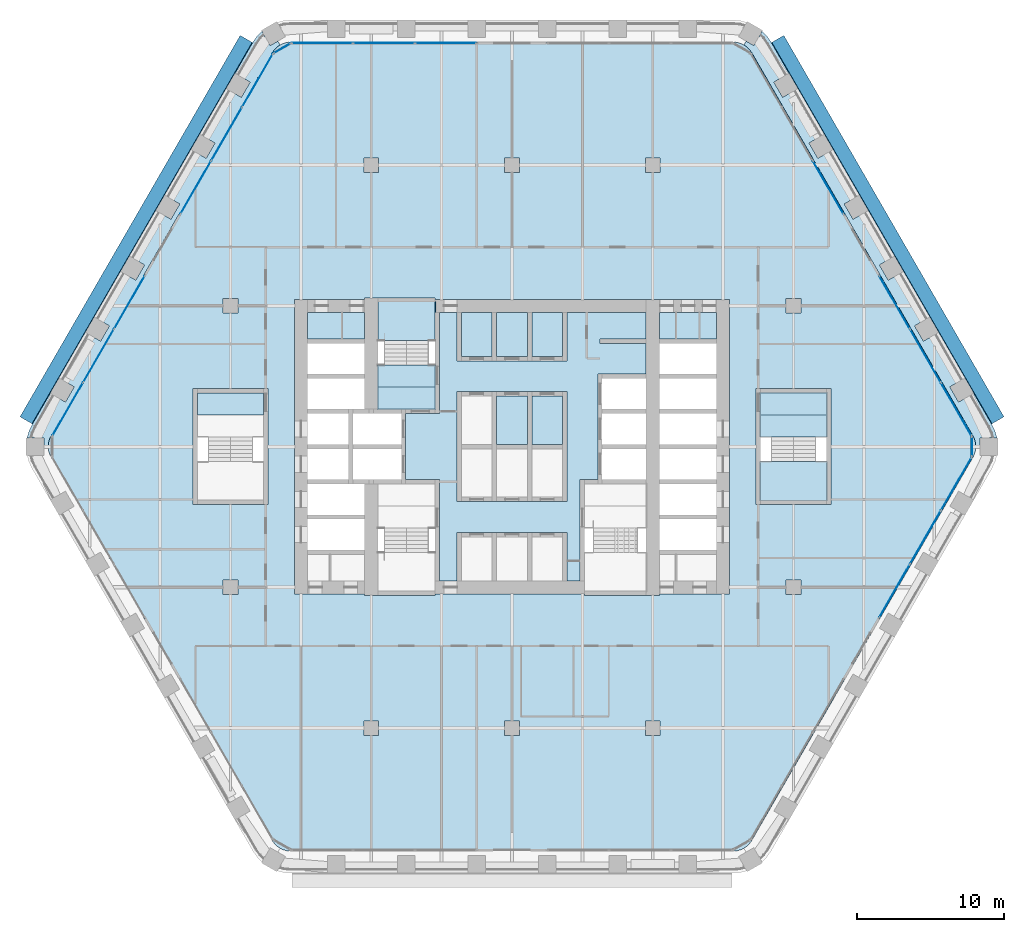
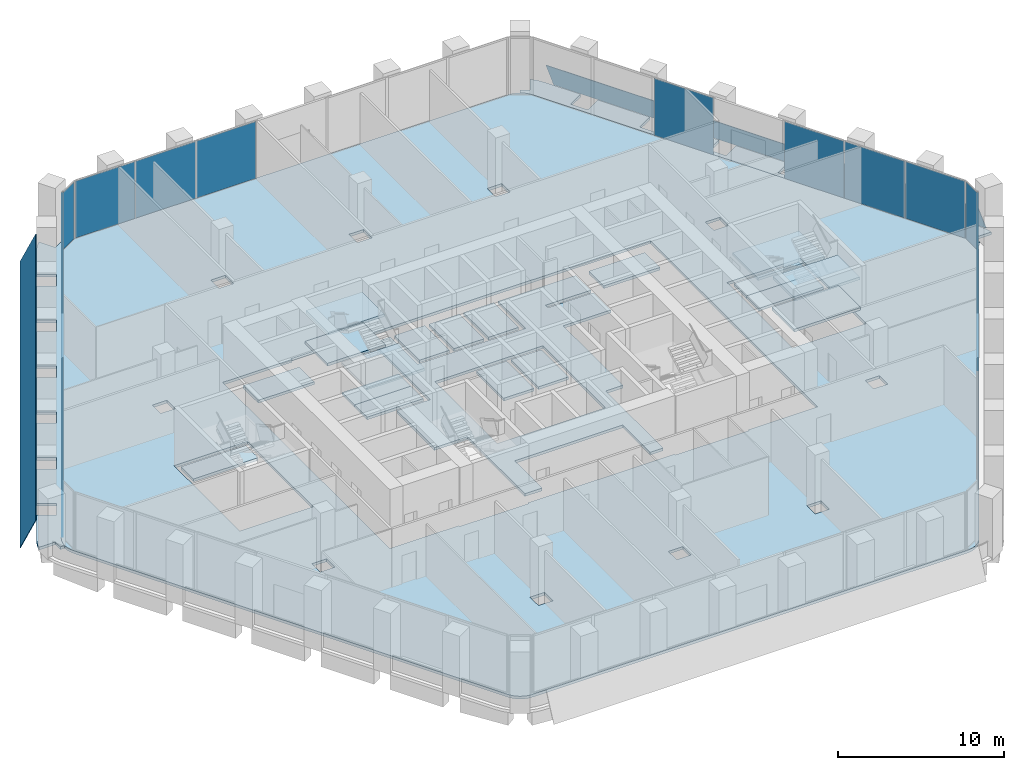
# One storey, part 11 of 23: 22 slabs, 20 plates, 10 elements without a shape of their own.
"""IFC4 building model written with IfcOpenShell, lengths in metres."""

from ifc_helpers import new_model, si_unit, direction, frame, origin, origin_2d, place, context, subcontext, project, spatial, polyline, rectangle, outline, extrude, material, layer, layer_set, type_object, element, aggregate, save


model = new_model("IFC4")

# Units and contexts
model_context = context("Model", 3, precision=1e-05, world=origin(), true_north=direction((0.0, 1.0)))
body_context = subcontext(model_context, "Body", "Model", "MODEL_VIEW")
ifc_project = project(units=[si_unit("LENGTHUNIT", "METRE"), si_unit("AREAUNIT", "SQUARE_METRE"), si_unit("VOLUMEUNIT", "CUBIC_METRE"), si_unit("PLANEANGLEUNIT", "RADIAN"), si_unit("MASSUNIT", "GRAM", prefix="KILO")], contexts=[model_context])

# Site, building, storey
site_placement = place(None, origin())
site = spatial("IfcSite", under=ifc_project, at=site_placement, CompositionType="ELEMENT")
building_placement = place(site_placement, origin())
building = spatial("IfcBuilding", under=site, at=building_placement, Name="Kolab Exchange Tower", CompositionType="ELEMENT")
storey_placement = place(building_placement, frame((0.0, 0.0, 100.39990234375)))
storey = spatial("IfcBuildingStorey", under=building, at=storey_placement, Name="L19", CompositionType="ELEMENT", Elevation=100.39990234375)

# Slabs
ifc_material_1 = material(Name="Concrete C35/45", Category="concrete")
ifc_layer_1 = layer(ifc_material_1, 0.199951171875)
ifc_layer_set_1 = layer_set([ifc_layer_1], Name="Concrete C35/45")
slab_type_1 = type_object("IfcSlabType", Name="FLOOR SLAB 200", PredefinedType="FLOOR", material=ifc_layer_set_1)
slab_1_placement = place(storey_placement, frame((0.0, 0.0, -0.199951171875)))
element("IfcSlab", 1, at=slab_1_placement, inside=storey, type_object=slab_type_1, Name="slab/L19/floor/0", PredefinedType="FLOOR", context=body_context, shape_type="SweptSolid", body=[
    extrude(outline(polyline([(16.366943359375, -26.848388671875), (31.434814453125, -0.75), (31.54541015625, -0.512939453125), (31.613037109375, -0.260498046875), (31.635986328125, 0.0), (31.613037109375, 0.260498046875), (31.54541015625, 0.512939453125), (31.434814453125, 0.75), (16.366943359375, 26.848388671875), (16.217041015625, 27.062744140625), (16.0322265625, 27.24755859375), (15.81787109375, 27.3974609375), (15.5810546875, 27.508056640625), (15.328369140625, 27.57568359375), (15.06787109375, 27.598388671875), (-15.06787109375, 27.598388671875), (-15.328369140625, 27.57568359375), (-15.5810546875, 27.508056640625), (-15.81787109375, 27.3974609375), (-16.0322265625, 27.24755859375), (-16.217041015625, 27.062744140625), (-16.366943359375, 26.848388671875), (-31.434814453125, 0.75), (-31.54541015625, 0.512939453125), (-31.613037109375, 0.260498046875), (-31.635986328125, 0.0), (-31.613037109375, -0.260498046875), (-31.54541015625, -0.512939453125), (-31.434814453125, -0.75), (-16.366943359375, -26.848388671875), (-16.217041015625, -27.062744140625), (-16.0322265625, -27.24755859375), (-15.81787109375, -27.3974609375), (-15.5810546875, -27.508056640625), (-15.328369140625, -27.57568359375), (-15.06787109375, -27.598388671875), (15.06787109375, -27.598388671875), (15.328369140625, -27.57568359375), (15.5810546875, -27.508056640625), (15.81787109375, -27.3974609375), (16.0322265625, -27.24755859375), (16.217041015625, -27.062744140625), (16.366943359375, -26.848388671875)]), holes=[polyline([(-13.949951171875, -10.050048828125), (-14.85009765625, -10.050048828125), (-14.85009765625, 10.050048828125), (-13.949951171875, 10.050048828125), (-10.050048828125, 10.050048828125), (-10.050048828125, 10.14990234375), (-9.14990234375, 10.14990234375), (-5.25, 10.14990234375), (-5.25, 10.050048828125), (9.14990234375, 10.050048828125), (10.050048828125, 10.050048828125), (13.949951171875, 10.050048828125), (14.85009765625, 10.050048828125), (14.85009765625, -10.050048828125), (13.949951171875, -10.050048828125), (10.050048828125, -10.050048828125), (10.050048828125, -10.14990234375), (9.14990234375, -10.14990234375), (4.949951171875, -10.14990234375), (4.949951171875, -10.050048828125), (-5.25, -10.050048828125), (-5.25, -10.14990234375), (-9.14990234375, -10.14990234375), (-10.050048828125, -10.14990234375), (-10.050048828125, -10.050048828125), (-13.949951171875, -10.050048828125)]), polyline([(-18.699951171875, -9.10009765625), (-18.699951171875, -10.10009765625), (-19.699951171875, -10.10009765625), (-19.699951171875, -9.10009765625), (-18.699951171875, -9.10009765625)]), polyline([(-21.449951171875, -3.949951171875), (-21.75, -3.949951171875), (-21.75, 3.949951171875), (-21.449951171875, 3.949951171875), (-16.949951171875, 3.949951171875), (-16.64990234375, 3.949951171875), (-16.64990234375, -3.949951171875), (-16.949951171875, -3.949951171875), (-21.449951171875, -3.949951171875)]), polyline([(-18.699951171875, 10.10009765625), (-18.699951171875, 9.10009765625), (-19.699951171875, 9.10009765625), (-19.699951171875, 10.10009765625), (-18.699951171875, 10.10009765625)]), polyline([(-9.10009765625, -18.699951171875), (-9.10009765625, -19.699951171875), (-10.10009765625, -19.699951171875), (-10.10009765625, -18.699951171875), (-9.10009765625, -18.699951171875)]), polyline([(-9.10009765625, 19.699951171875), (-9.10009765625, 18.699951171875), (-10.10009765625, 18.699951171875), (-10.10009765625, 19.699951171875), (-9.10009765625, 19.699951171875)]), polyline([(9.10009765625, -18.699951171875), (10.10009765625, -18.699951171875), (10.10009765625, -19.699951171875), (9.10009765625, -19.699951171875), (9.10009765625, -18.699951171875)]), polyline([(-0.5, -18.699951171875), (0.5, -18.699951171875), (0.5, -19.699951171875), (-0.5, -19.699951171875), (-0.5, -18.699951171875)]), polyline([(0.5, 19.699951171875), (0.5, 18.699951171875), (-0.5, 18.699951171875), (-0.5, 19.699951171875), (0.5, 19.699951171875)]), polyline([(10.10009765625, 19.699951171875), (10.10009765625, 18.699951171875), (9.10009765625, 18.699951171875), (9.10009765625, 19.699951171875), (10.10009765625, 19.699951171875)]), polyline([(19.699951171875, -9.10009765625), (19.699951171875, -10.10009765625), (18.699951171875, -10.10009765625), (18.699951171875, -9.10009765625), (19.699951171875, -9.10009765625)]), polyline([(21.449951171875, 3.949951171875), (21.75, 3.949951171875), (21.75, -3.949951171875), (21.449951171875, -3.949951171875), (16.949951171875, -3.949951171875), (16.64990234375, -3.949951171875), (16.64990234375, 3.949951171875), (16.949951171875, 3.949951171875), (21.449951171875, 3.949951171875)]), polyline([(19.699951171875, 10.10009765625), (19.699951171875, 9.10009765625), (18.699951171875, 9.10009765625), (18.699951171875, 10.10009765625), (19.699951171875, 10.10009765625)])]), origin(), (0.0, 0.0, 1.0), 0.199951171875),
])
slab_2_placement = place(storey_placement, frame((0.0, 0.0, -0.199951171875)))
element("IfcSlab", 2, at=slab_2_placement, inside=storey, type_object=slab_type_1, Name="slab/L19/floor/1", PredefinedType="FLOOR", context=body_context, shape_type="SweptSolid", body=[
    extrude(outline(polyline([(-4.949951171875, 9.14990234375), (-4.949951171875, 2.25), (-5.25, 2.25), (-7.25, 2.25), (-7.25, -2.25), (-5.25, -2.25), (-4.949951171875, -2.25), (-4.949951171875, -9.14990234375), (-3.75, -9.14990234375), (-3.75, -5.85009765625), (-3.449951171875, -5.85009765625), (-1.35009765625, -5.85009765625), (-1.050048828125, -5.85009765625), (1.050048828125, -5.85009765625), (1.35009765625, -5.85009765625), (3.449951171875, -5.85009765625), (3.75, -5.85009765625), (3.75, -9.14990234375), (4.64990234375, -9.14990234375), (4.64990234375, -2.25), (4.949951171875, -2.25), (5.85009765625, -2.25), (5.85009765625, 4.949951171875), (6.14990234375, 4.949951171875), (9.14990234375, 4.949951171875), (9.14990234375, 7.050048828125), (6.0, 7.050048828125), (6.0, 7.35009765625), (9.14990234375, 7.35009765625), (9.14990234375, 9.14990234375), (3.75, 9.14990234375), (3.75, 5.85009765625), (3.449951171875, 5.85009765625), (1.35009765625, 5.85009765625), (1.050048828125, 5.85009765625), (-1.050048828125, 5.85009765625), (-1.35009765625, 5.85009765625), (-3.449951171875, 5.85009765625), (-3.75, 5.85009765625), (-3.75, 9.14990234375), (-4.949951171875, 9.14990234375)]), holes=[polyline([(-3.75, -3.75), (-3.75, 3.75), (-3.449951171875, 3.75), (-1.35009765625, 3.75), (-1.050048828125, 3.75), (1.050048828125, 3.75), (1.35009765625, 3.75), (3.449951171875, 3.75), (3.75, 3.75), (3.75, -3.75), (3.449951171875, -3.75), (1.35009765625, -3.75), (1.050048828125, -3.75), (-1.050048828125, -3.75), (-1.35009765625, -3.75), (-3.449951171875, -3.75), (-3.75, -3.75)])]), origin(), (0.0, 0.0, 1.0), 0.199951171875),
])
slab_3_placement = place(storey_placement, frame((0.0, 0.0, -0.199951171875)))
element("IfcSlab", 3, at=slab_3_placement, inside=storey, type_object=slab_type_1, Name="slab/L19/floor/3", PredefinedType="FLOOR", context=body_context, shape_type="SweptSolid", body=[
    extrude(outline(polyline([(-10.050048828125, 9.14990234375), (-13.949951171875, 9.14990234375), (-13.949951171875, 7.35009765625), (-10.050048828125, 7.35009765625), (-10.050048828125, 9.14990234375)])), origin(), (0.0, 0.0, 1.0), 0.199951171875),
])
slab_4_placement = place(storey_placement, frame((0.0, 0.0, -0.199951171875)))
element("IfcSlab", 4, at=slab_4_placement, inside=storey, type_object=slab_type_1, Name="slab/L19/floor/5", PredefinedType="FLOOR", context=body_context, shape_type="SweptSolid", body=[
    extrude(outline(polyline([(13.949951171875, 9.14990234375), (10.050048828125, 9.14990234375), (10.050048828125, 7.35009765625), (13.949951171875, 7.35009765625), (13.949951171875, 9.14990234375)])), origin(), (0.0, 0.0, 1.0), 0.199951171875),
])
slab_5_placement = place(storey_placement, frame((0.0, 0.0, -0.199951171875)))
element("IfcSlab", 5, at=slab_5_placement, inside=storey, type_object=slab_type_1, Name="slab/L19/floor/9", PredefinedType="FLOOR", context=body_context, shape_type="SweptSolid", body=[
    extrude(outline(polyline([(-1.050048828125, 3.449951171875), (-1.050048828125, 0.14990234375), (1.050048828125, 0.14990234375), (1.050048828125, 3.449951171875), (-1.050048828125, 3.449951171875)])), origin(), (0.0, 0.0, 1.0), 0.199951171875),
])
slab_6_placement = place(storey_placement, frame((0.0, 0.0, -0.199951171875)))
element("IfcSlab", 6, at=slab_6_placement, inside=storey, type_object=slab_type_1, Name="slab/L19/floor/11", PredefinedType="FLOOR", context=body_context, shape_type="SweptSolid", body=[
    extrude(outline(polyline([(1.35009765625, 0.14990234375), (3.449951171875, 0.14990234375), (3.449951171875, 3.449951171875), (1.35009765625, 3.449951171875), (1.35009765625, 0.14990234375)])), origin(), (0.0, 0.0, 1.0), 0.199951171875),
])
slab_7_placement = place(storey_placement, frame((0.0, 0.0, -0.199951171875)))
element("IfcSlab", 7, at=slab_7_placement, inside=storey, type_object=slab_type_1, Name="slab/L19/floor/12", PredefinedType="FLOOR", context=body_context, shape_type="SweptSolid", body=[
    extrude(outline(polyline([(-21.449951171875, 3.64990234375), (-21.449951171875, 2.14990234375), (-16.949951171875, 2.14990234375), (-16.949951171875, 3.64990234375), (-21.449951171875, 3.64990234375)])), origin(), (0.0, 0.0, 1.0), 0.199951171875),
])
slab_8_placement = place(storey_placement, frame((0.0, 0.0, -0.199951171875)))
element("IfcSlab", 8, at=slab_8_placement, inside=storey, type_object=slab_type_1, Name="slab/L19/floor/13", PredefinedType="FLOOR", context=body_context, shape_type="SweptSolid", body=[
    extrude(outline(polyline([(21.449951171875, 3.64990234375), (16.949951171875, 3.64990234375), (16.949951171875, 2.14990234375), (21.449951171875, 2.14990234375), (21.449951171875, 3.64990234375)])), origin(), (0.0, 0.0, 1.0), 0.199951171875),
])
slab_9_placement = place(storey_placement, frame((0.0, 0.0, -0.199951171875)))
element("IfcSlab", 9, at=slab_9_placement, inside=storey, type_object=slab_type_1, Name="slab/L19/floor/15", PredefinedType="FLOOR", context=body_context, shape_type="SweptSolid", body=[
    extrude(outline(polyline([(-1.35009765625, 6.14990234375), (-1.35009765625, 9.14990234375), (-3.449951171875, 9.14990234375), (-3.449951171875, 6.14990234375), (-1.35009765625, 6.14990234375)])), origin(), (0.0, 0.0, 1.0), 0.199951171875),
])
slab_10_placement = place(storey_placement, frame((0.0, 0.0, -0.199951171875)))
element("IfcSlab", 10, at=slab_10_placement, inside=storey, type_object=slab_type_1, Name="slab/L19/floor/17", PredefinedType="FLOOR", context=body_context, shape_type="SweptSolid", body=[
    extrude(outline(polyline([(-1.050048828125, 9.14990234375), (-1.050048828125, 6.14990234375), (1.050048828125, 6.14990234375), (1.050048828125, 9.14990234375), (-1.050048828125, 9.14990234375)])), origin(), (0.0, 0.0, 1.0), 0.199951171875),
])
slab_11_placement = place(storey_placement, frame((0.0, 0.0, -0.199951171875)))
element("IfcSlab", 11, at=slab_11_placement, inside=storey, type_object=slab_type_1, Name="slab/L19/floor/19", PredefinedType="FLOOR", context=body_context, shape_type="SweptSolid", body=[
    extrude(outline(polyline([(1.35009765625, 6.14990234375), (3.449951171875, 6.14990234375), (3.449951171875, 9.14990234375), (1.35009765625, 9.14990234375), (1.35009765625, 6.14990234375)])), origin(), (0.0, 0.0, 1.0), 0.199951171875),
])
slab_12_placement = place(storey_placement, frame((0.0, 0.0, -0.199951171875)))
element("IfcSlab", 12, at=slab_12_placement, inside=storey, type_object=slab_type_1, Name="slab/L19/floor/22", PredefinedType="FLOOR", context=body_context, shape_type="SweptSolid", body=[
    extrude(outline(polyline([(-5.25, 4.050048828125), (-9.14990234375, 4.050048828125), (-9.14990234375, 2.550048828125), (-7.550048828125, 2.550048828125), (-7.25, 2.550048828125), (-5.25, 2.550048828125), (-5.25, 4.050048828125)])), origin(), (0.0, 0.0, 1.0), 0.199951171875),
])
ifc_layer_2 = layer(ifc_material_1, 0.199951171875)
ifc_layer_set_2 = layer_set([ifc_layer_2], Name="Concrete C35/45")
slab_type_2 = type_object("IfcSlabType", Name="LOGGIA SLAB 200", PredefinedType="FLOOR", material=ifc_layer_set_2)
slab_13_placement = place(storey_placement, frame((0.0, 0.0, -0.199951171875)))
element("IfcSlab", 13, at=slab_13_placement, inside=storey, type_object=slab_type_2, Name="slab/L19/loggia/1-0", PredefinedType="FLOOR", context=body_context, shape_type="SweptSolid", body=[
    extrude(outline(polyline([(31.635986328125, 0.0), (31.935791015625, 0.0), (31.935791015625, 0.60009765625), (33.069091796875, 0.60009765625), (32.955078125, 1.026123046875), (32.73388671875, 1.5), (31.5, 3.63720703125), (30.460693359375, 3.037353515625), (29.86083984375, 4.076416015625), (30.89990234375, 4.676513671875), (29.10009765625, 7.794189453125), (28.060791015625, 7.1943359375), (27.460693359375, 8.2333984375), (28.5, 8.83349609375), (26.699951171875, 11.951171875), (25.660888671875, 11.35107421875), (25.060791015625, 12.390380859375), (26.10009765625, 12.990478515625), (24.300048828125, 16.108154296875), (23.2607421875, 15.508056640625), (22.660888671875, 16.54736328125), (23.699951171875, 17.147216796875), (21.89990234375, 20.264892578125), (20.86083984375, 19.6650390625), (20.2607421875, 20.704345703125), (21.300048828125, 21.30419921875), (19.5, 24.421875), (18.460693359375, 23.822021484375), (17.86083984375, 24.861083984375), (18.89990234375, 25.461181640625), (17.666015625, 27.598388671875), (17.365966796875, 28.02685546875), (17.05419921875, 28.338623046875), (16.487548828125, 27.357177734375), (15.968017578125, 27.6572265625), (15.81787109375, 27.3974609375), (16.0322265625, 27.24755859375), (16.217041015625, 27.062744140625), (16.366943359375, 26.848388671875), (31.434814453125, 0.75), (31.54541015625, 0.512939453125), (31.613037109375, 0.260498046875), (31.635986328125, 0.0)])), origin(), (0.0, 0.0, 1.0), 0.199951171875),
])
slab_14_placement = place(storey_placement, frame((0.0, 0.0, -0.199951171875)))
element("IfcSlab", 14, at=slab_14_placement, inside=storey, type_object=slab_type_2, Name="slab/L19/loggia/5-0", PredefinedType="FLOOR", context=body_context, shape_type="SweptSolid", body=[
    extrude(outline(polyline([(-15.81787109375, 27.3974609375), (-15.968017578125, 27.6572265625), (-16.487548828125, 27.357177734375), (-17.05419921875, 28.338623046875), (-17.365966796875, 28.02685546875), (-17.666015625, 27.598388671875), (-18.89990234375, 25.461181640625), (-17.86083984375, 24.861083984375), (-18.460693359375, 23.822021484375), (-19.5, 24.421875), (-21.300048828125, 21.30419921875), (-20.2607421875, 20.704345703125), (-20.86083984375, 19.6650390625), (-21.89990234375, 20.264892578125), (-23.699951171875, 17.147216796875), (-22.660888671875, 16.54736328125), (-23.2607421875, 15.508056640625), (-24.300048828125, 16.108154296875), (-26.10009765625, 12.990478515625), (-25.060791015625, 12.390380859375), (-25.660888671875, 11.35107421875), (-26.699951171875, 11.951171875), (-28.5, 8.83349609375), (-27.460693359375, 8.2333984375), (-28.060791015625, 7.1943359375), (-29.10009765625, 7.794189453125), (-30.89990234375, 4.676513671875), (-29.86083984375, 4.076416015625), (-30.460693359375, 3.037353515625), (-31.5, 3.63720703125), (-32.73388671875, 1.5), (-32.955078125, 1.026123046875), (-33.069091796875, 0.60009765625), (-31.935791015625, 0.60009765625), (-31.935791015625, 0.0), (-31.635986328125, 0.0), (-31.613037109375, 0.260498046875), (-31.54541015625, 0.512939453125), (-31.434814453125, 0.75), (-16.366943359375, 26.848388671875), (-16.217041015625, 27.062744140625), (-16.0322265625, 27.24755859375), (-15.81787109375, 27.3974609375)])), origin(), (0.0, 0.0, 1.0), 0.199951171875),
])

# Plates
ifc_material_2 = material(Name="Laminated glass, clear", Category="glass")
ifc_layer_3 = layer(ifc_material_2, 0.0400390625)
ifc_layer_set_3 = layer_set([ifc_layer_3], Name="Laminated glass, clear")
plate_type_1 = type_object("IfcPlateType", Name="OUTER SKIN LAMINATED GLASS SHEET 40", PredefinedType="SHEET", material=ifc_layer_set_3)
plate_1_placement = place(storey_placement, frame((18.540283203125, 28.04541015625, -0.73291015625), z_axis=(0.78488749746, 0.453155039209, 0.422613448403), x_axis=(0.499999167166, -0.866025884618, 2.126414e-06)))
element("IfcPlate", 15, at=plate_1_placement, inside=storey, type_object=plate_type_1, Name="Outer skin", PredefinedType="SHEET", context=body_context, shape_type="SweptSolid", body=[
    extrude(outline(polyline([(0.0, 0.0), (30.035931798469555, 0.0), (30.035821559359643, -2.2341565300489714), (-2.087711834573829e-05, -2.2342974723957343), (0.0, 0.0)])), origin(), (0.0, 0.0, -1.0), 0.0400390625),
])
plate_2_placement = place(storey_placement, frame((-33.55810546875, 2.033447265625, -0.73291015625), z_axis=(-0.78488749746, 0.453155039209, 0.422613448403), x_axis=(0.499999167166, 0.866025884618, -2.126414e-06)))
element("IfcPlate", 16, at=plate_2_placement, inside=storey, type_object=plate_type_1, Name="Outer skin", PredefinedType="SHEET", context=body_context, shape_type="SweptSolid", body=[
    extrude(outline(polyline([(0.0, 0.0), (30.035931798469555, 0.0), (30.035952675587897, -2.234297472395734), (0.00011023910991124468, -2.234156530048972), (0.0, 0.0)])), origin(), (0.0, 0.0, -1.0), 0.0400390625),
])

# Stair, slabs
ifc_material_3 = material(Name="Concrete C50/60", Category="concrete")
stair_type_1 = type_object("IfcStairType", Name="STAIR ST1 RISER 160.7", PredefinedType="DOUBLE_RETURN_STAIR", material=ifc_material_3)
stair_1_placement = place(storey_placement, origin())
stair_1 = element("IfcStair", 17, at=stair_1_placement, inside=storey, type_object=stair_type_1, Name="Stair 1", PredefinedType="DOUBLE_RETURN_STAIR")
ifc_layer_4 = layer(ifc_material_3, 0.199951171875)
ifc_layer_set_4 = layer_set([ifc_layer_4], Name="Concrete C50/60")
slab_type_3 = type_object("IfcSlabType", Name="STAIR LANDING 200", PredefinedType="LANDING", material=ifc_layer_set_4)
slab_15_placement = place(storey_placement, frame((0.0, 0.0, -0.199951171875)))
slab_15 = element("IfcSlab", 18, at=slab_15_placement, type_object=slab_type_3, Name="ST1 landing 1", PredefinedType="LANDING", context=body_context, shape_type="SweptSolid", body=[
    extrude(outline(polyline([(-9.14990234375, 4.050048828125), (-5.25, 4.050048828125), (-5.25, 5.550048828125), (-9.14990234375, 5.550048828125), (-9.14990234375, 4.050048828125)])), origin(), (0.0, 0.0, 1.0), 0.199951171875),
])
slab_16_placement = place(storey_placement, frame((0.0, 0.0, 0.925048828125)))
slab_16 = element("IfcSlab", 19, at=slab_16_placement, type_object=slab_type_3, Name="ST1 landing 2", PredefinedType="LANDING", context=body_context, shape_type="SweptSolid", body=[
    extrude(outline(polyline([(-9.2099609375, 7.22998046875), (-5.18994140625, 7.22998046875), (-5.18994140625, 9.909912109375), (-9.2099609375, 9.909912109375), (-9.2099609375, 7.22998046875)])), origin(), (0.0, 0.0, 1.0), 0.199951171875),
])
slab_17_placement = place(storey_placement, frame((0.0, 0.0, 2.050048828125)))
slab_17 = element("IfcSlab", 20, at=slab_17_placement, type_object=slab_type_3, Name="ST1 landing 3", PredefinedType="LANDING", context=body_context, shape_type="SweptSolid", body=[
    extrude(outline(polyline([(-9.2099609375, 2.489990234375), (-5.18994140625, 2.489990234375), (-5.18994140625, 5.550048828125), (-9.2099609375, 5.550048828125), (-9.2099609375, 2.489990234375)])), origin(), (0.0, 0.0, 1.0), 0.199951171875),
])
slab_18_placement = place(storey_placement, frame((0.0, 0.0, 3.175048828125)))
slab_18 = element("IfcSlab", 21, at=slab_18_placement, type_object=slab_type_3, Name="ST1 landing 4", PredefinedType="LANDING", context=body_context, shape_type="SweptSolid", body=[
    extrude(outline(polyline([(-9.14990234375, 7.22998046875), (-5.25, 7.22998046875), (-5.25, 9.909912109375), (-9.14990234375, 9.909912109375), (-9.14990234375, 7.22998046875)])), origin(), (0.0, 0.0, 1.0), 0.199951171875),
])
aggregate(stair_1, [slab_15, slab_16, slab_17, slab_18])

stair_type_2 = type_object("IfcStairType", Name="STAIR ST4 RISER 160.7", PredefinedType="DOUBLE_RETURN_STAIR", material=ifc_material_3)
stair_2_placement = place(storey_placement, origin())
stair_2 = element("IfcStair", 22, at=stair_2_placement, inside=storey, type_object=stair_type_2, Name="Stair 4", PredefinedType="DOUBLE_RETURN_STAIR")
slab_19_placement = place(storey_placement, frame((0.0, 0.0, -0.199951171875)))
slab_19 = element("IfcSlab", 23, at=slab_19_placement, type_object=slab_type_3, Name="ST4 landing 1", PredefinedType="LANDING", context=body_context, shape_type="SweptSolid", body=[
    extrude(outline(polyline([(16.949951171875, 0.64990234375), (21.449951171875, 0.64990234375), (21.449951171875, 2.14990234375), (16.949951171875, 2.14990234375), (16.949951171875, 0.64990234375)])), origin(), (0.0, 0.0, 1.0), 0.199951171875),
])
slab_20_placement = place(storey_placement, frame((0.0, 0.0, 0.925048828125)))
slab_20 = element("IfcSlab", 24, at=slab_20_placement, type_object=slab_type_3, Name="ST4 landing 2", PredefinedType="LANDING", context=body_context, shape_type="SweptSolid", body=[
    extrude(outline(polyline([(16.889892578125, -3.7099609375), (21.510009765625, -3.7099609375), (21.510009765625, -1.030029296875), (16.889892578125, -1.030029296875), (16.889892578125, -3.7099609375)])), origin(), (0.0, 0.0, 1.0), 0.199951171875),
])
slab_21_placement = place(storey_placement, frame((0.0, 0.0, 2.050048828125)))
slab_21 = element("IfcSlab", 25, at=slab_21_placement, type_object=slab_type_3, Name="ST4 landing 3", PredefinedType="LANDING", context=body_context, shape_type="SweptSolid", body=[
    extrude(outline(polyline([(16.889892578125, 0.64990234375), (21.510009765625, 0.64990234375), (21.510009765625, 3.7099609375), (16.889892578125, 3.7099609375), (16.889892578125, 0.64990234375)])), origin(), (0.0, 0.0, 1.0), 0.199951171875),
])
slab_22_placement = place(storey_placement, frame((0.0, 0.0, 3.175048828125)))
slab_22 = element("IfcSlab", 26, at=slab_22_placement, type_object=slab_type_3, Name="ST4 landing 4", PredefinedType="LANDING", context=body_context, shape_type="SweptSolid", body=[
    extrude(outline(polyline([(16.949951171875, -3.7099609375), (21.449951171875, -3.7099609375), (21.449951171875, -1.030029296875), (16.949951171875, -1.030029296875), (16.949951171875, -3.7099609375)])), origin(), (0.0, 0.0, 1.0), 0.199951171875),
])
aggregate(stair_2, [slab_19, slab_20, slab_21, slab_22])

# Curtain wall, plates
ifc_material_4 = material(Name="Aluminium EN AW-6063 T6", Category="aluminium")
curtain_wall_type = type_object("IfcCurtainWallType", Name="UNITISED LOWER MID ZONE CURTAIN WALL", PredefinedType="NOTDEFINED", material=ifc_material_4)
curtain_wall_1_placement = place(storey_placement, origin())
curtain_wall_1 = element("IfcCurtainWall", 27, at=curtain_wall_1_placement, inside=storey, type_object=curtain_wall_type, Name="cw/L19/F1-1", PredefinedType="NOTDEFINED")
ifc_material_5 = material(Name="Clear insulated glazing unit", Category="glass")
ifc_layer_5 = layer(ifc_material_5, 0.02587890625)
ifc_layer_set_5 = layer_set([ifc_layer_5], Name="Clear insulated glazing unit")
plate_type_2 = type_object("IfcPlateType", Name="UNITISED LOWER MID ZONE GLASS PANEL 26", PredefinedType="CURTAIN_PANEL", material=ifc_layer_set_5)
plate_3_placement = place(storey_placement, frame((-12.941650390625, 27.5185546875, 0.06005859375), z_axis=(0.0, 0.0, 1.0), x_axis=(1.0, 0.0, 0.0)))
plate_3 = element("IfcPlate", 28, at=plate_3_placement, type_object=plate_type_2, Name="CW2 panel 1.1", PredefinedType="CURTAIN_PANEL", context=body_context, shape_type="SweptSolid", body=[
    extrude(rectangle(XDim=4.132568359375, YDim=0.02587890625, at=origin_2d()), origin(), (0.0, 0.0, 1.0), 4.179931640625),
])
plate_4_placement = place(storey_placement, frame((-8.73388671875, 27.5185546875, 0.06005859375), z_axis=(0.0, 0.0, 1.0), x_axis=(1.0, 0.0, 0.0)))
plate_4 = element("IfcPlate", 29, at=plate_4_placement, type_object=plate_type_2, Name="CW2 panel 2.1", PredefinedType="CURTAIN_PANEL", context=body_context, shape_type="SweptSolid", body=[
    extrude(rectangle(XDim=4.16259765625, YDim=0.02587890625, at=origin_2d()), origin(), (0.0, 0.0, 1.0), 4.179931640625),
])
plate_5_placement = place(storey_placement, frame((-4.5263671875, 27.5185546875, 0.06005859375), z_axis=(0.0, 0.0, 1.0), x_axis=(1.0, 0.0, 0.0)))
plate_5 = element("IfcPlate", 30, at=plate_5_placement, type_object=plate_type_2, Name="CW2 panel 3.1", PredefinedType="CURTAIN_PANEL", context=body_context, shape_type="SweptSolid", body=[
    extrude(rectangle(XDim=4.132568359375, YDim=0.02587890625, at=origin_2d()), origin(), (0.0, 0.0, 1.0), 4.179931640625),
])
aggregate(curtain_wall_1, [plate_3, plate_4, plate_5])

# Curtain wall, plate
curtain_wall_2_placement = place(storey_placement, origin())
curtain_wall_2 = element("IfcCurtainWall", 31, at=curtain_wall_2_placement, inside=storey, type_object=curtain_wall_type, Name="cw/L19/F2-1", PredefinedType="NOTDEFINED")
plate_6_placement = place(storey_placement, frame((21.568603515625, 17.67919921875, 0.06005859375), z_axis=(0.0, 0.0, 1.0), x_axis=(0.500000017564, -0.866025393644, 0.0)))
plate_6 = element("IfcPlate", 32, at=plate_6_placement, type_object=plate_type_2, Name="CW2 panel 3.1", PredefinedType="CURTAIN_PANEL", context=body_context, shape_type="SweptSolid", body=[
    extrude(rectangle(XDim=4.132568359375, YDim=0.02587890625, at=origin_2d()), origin(), (0.0, 0.0, 1.0), 4.179931640625),
])
aggregate(curtain_wall_2, [plate_6])

# Curtain wall, plates
curtain_wall_3_placement = place(storey_placement, origin())
curtain_wall_3 = element("IfcCurtainWall", 33, at=curtain_wall_3_placement, inside=storey, type_object=curtain_wall_type, Name="cw/L19/F2-2", PredefinedType="NOTDEFINED")
plate_7_placement = place(storey_placement, frame((26.0947265625, 9.83935546875, 0.06005859375), z_axis=(0.0, 0.0, 1.0), x_axis=(0.499999958358, -0.866025427826, 0.0)))
plate_7 = element("IfcPlate", 34, at=plate_7_placement, type_object=plate_type_2, Name="CW2 panel 1.1", PredefinedType="CURTAIN_PANEL", context=body_context, shape_type="SweptSolid", body=[
    extrude(rectangle(XDim=4.132568359375, YDim=0.02587890625, at=origin_2d()), origin(), (0.0, 0.0, 1.0), 4.179931640625),
])
plate_8_placement = place(storey_placement, frame((28.19873046875, 6.1953125, 0.06005859375), z_axis=(0.0, 0.0, 1.0), x_axis=(0.499999958358, -0.866025427826, 0.0)))
plate_8 = element("IfcPlate", 35, at=plate_8_placement, type_object=plate_type_2, Name="CW2 panel 2.1", PredefinedType="CURTAIN_PANEL", context=body_context, shape_type="SweptSolid", body=[
    extrude(rectangle(XDim=4.16259765625, YDim=0.02587890625, at=origin_2d()), origin(), (0.0, 0.0, 1.0), 4.179931640625),
])
plate_9_placement = place(storey_placement, frame((30.302490234375, 2.551513671875, 0.06005859375), z_axis=(0.0, 0.0, 1.0), x_axis=(0.499999958358, -0.866025427826, 0.0)))
plate_9 = element("IfcPlate", 36, at=plate_9_placement, type_object=plate_type_2, Name="CW2 panel 3.1", PredefinedType="CURTAIN_PANEL", context=body_context, shape_type="SweptSolid", body=[
    extrude(rectangle(XDim=4.132568359375, YDim=0.02587890625, at=origin_2d()), origin(), (0.0, 0.0, 1.0), 4.179931640625),
])
aggregate(curtain_wall_3, [plate_7, plate_8, plate_9])

curtain_wall_4_placement = place(storey_placement, origin())
curtain_wall_4 = element("IfcCurtainWall", 37, at=curtain_wall_4_placement, inside=storey, type_object=curtain_wall_type, Name="cw/L19/F3-1", PredefinedType="NOTDEFINED")
plate_10_placement = place(storey_placement, frame((30.302490234375, -2.551513671875, 0.06005859375), z_axis=(0.0, 0.0, 1.0), x_axis=(-0.499999958358, -0.866025427826, 0.0)))
plate_10 = element("IfcPlate", 38, at=plate_10_placement, type_object=plate_type_2, Name="CW2 panel 1.1", PredefinedType="CURTAIN_PANEL", context=body_context, shape_type="SweptSolid", body=[
    extrude(rectangle(XDim=4.132568359375, YDim=0.02587890625, at=origin_2d()), origin(), (0.0, 0.0, 1.0), 4.179931640625),
])
plate_11_placement = place(storey_placement, frame((28.19873046875, -6.1953125, 0.06005859375), z_axis=(0.0, 0.0, 1.0), x_axis=(-0.499999958358, -0.866025427826, 0.0)))
plate_11 = element("IfcPlate", 39, at=plate_11_placement, type_object=plate_type_2, Name="CW2 panel 2.1", PredefinedType="CURTAIN_PANEL", context=body_context, shape_type="SweptSolid", body=[
    extrude(rectangle(XDim=4.16259765625, YDim=0.02587890625, at=origin_2d()), origin(), (0.0, 0.0, 1.0), 4.179931640625),
])
plate_12_placement = place(storey_placement, frame((26.0947265625, -9.83935546875, 0.06005859375), z_axis=(0.0, 0.0, 1.0), x_axis=(-0.499999958358, -0.866025427826, 0.0)))
plate_12 = element("IfcPlate", 40, at=plate_12_placement, type_object=plate_type_2, Name="CW2 panel 3.1", PredefinedType="CURTAIN_PANEL", context=body_context, shape_type="SweptSolid", body=[
    extrude(rectangle(XDim=4.132568359375, YDim=0.02587890625, at=origin_2d()), origin(), (0.0, 0.0, 1.0), 4.179931640625),
])
aggregate(curtain_wall_4, [plate_10, plate_11, plate_12])

curtain_wall_5_placement = place(storey_placement, origin())
curtain_wall_5 = element("IfcCurtainWall", 41, at=curtain_wall_5_placement, inside=storey, type_object=curtain_wall_type, Name="cw/L19/F6-1", PredefinedType="NOTDEFINED")
plate_13_placement = place(storey_placement, frame((-30.302490234375, 2.551513671875, 0.06005859375), z_axis=(0.0, 0.0, 1.0), x_axis=(0.499999958358, 0.866025427826, 0.0)))
plate_13 = element("IfcPlate", 42, at=plate_13_placement, type_object=plate_type_2, Name="CW2 panel 1.1", PredefinedType="CURTAIN_PANEL", context=body_context, shape_type="SweptSolid", body=[
    extrude(rectangle(XDim=4.132568359375, YDim=0.02587890625, at=origin_2d()), origin(), (0.0, 0.0, 1.0), 4.179931640625),
])
plate_14_placement = place(storey_placement, frame((-28.19873046875, 6.1953125, 0.06005859375), z_axis=(0.0, 0.0, 1.0), x_axis=(0.499999958358, 0.866025427826, 0.0)))
plate_14 = element("IfcPlate", 43, at=plate_14_placement, type_object=plate_type_2, Name="CW2 panel 2.1", PredefinedType="CURTAIN_PANEL", context=body_context, shape_type="SweptSolid", body=[
    extrude(rectangle(XDim=4.16259765625, YDim=0.02587890625, at=origin_2d()), origin(), (0.0, 0.0, 1.0), 4.179931640625),
])
plate_15_placement = place(storey_placement, frame((-26.0947265625, 9.83935546875, 0.06005859375), z_axis=(0.0, 0.0, 1.0), x_axis=(0.499999958358, 0.866025427826, 0.0)))
plate_15 = element("IfcPlate", 44, at=plate_15_placement, type_object=plate_type_2, Name="CW2 panel 3.1", PredefinedType="CURTAIN_PANEL", context=body_context, shape_type="SweptSolid", body=[
    extrude(rectangle(XDim=4.132568359375, YDim=0.02587890625, at=origin_2d()), origin(), (0.0, 0.0, 1.0), 4.179931640625),
])
aggregate(curtain_wall_5, [plate_13, plate_14, plate_15])

curtain_wall_6_placement = place(storey_placement, origin())
curtain_wall_6 = element("IfcCurtainWall", 45, at=curtain_wall_6_placement, inside=storey, type_object=curtain_wall_type, Name="cw/L19/F6-2", PredefinedType="NOTDEFINED")
plate_16_placement = place(storey_placement, frame((-21.568603515625, 17.67919921875, 0.06005859375), z_axis=(0.0, 0.0, 1.0), x_axis=(0.500000017564, 0.866025393644, 0.0)))
plate_16 = element("IfcPlate", 46, at=plate_16_placement, type_object=plate_type_2, Name="CW2 panel 1.1", PredefinedType="CURTAIN_PANEL", context=body_context, shape_type="SweptSolid", body=[
    extrude(rectangle(XDim=4.132568359375, YDim=0.02587890625, at=origin_2d()), origin(), (0.0, 0.0, 1.0), 4.179931640625),
])
plate_17_placement = place(storey_placement, frame((-19.464599609375, 21.322998046875, 0.06005859375), z_axis=(0.0, 0.0, 1.0), x_axis=(0.500000017564, 0.866025393644, 0.0)))
plate_17 = element("IfcPlate", 47, at=plate_17_placement, type_object=plate_type_2, Name="CW2 panel 2.1", PredefinedType="CURTAIN_PANEL", context=body_context, shape_type="SweptSolid", body=[
    extrude(rectangle(XDim=4.16259765625, YDim=0.02587890625, at=origin_2d()), origin(), (0.0, 0.0, 1.0), 4.179931640625),
])
plate_18_placement = place(storey_placement, frame((-17.36083984375, 24.967041015625, 0.06005859375), z_axis=(0.0, 0.0, 1.0), x_axis=(0.500000017564, 0.866025393644, 0.0)))
plate_18 = element("IfcPlate", 48, at=plate_18_placement, type_object=plate_type_2, Name="CW2 panel 3.1", PredefinedType="CURTAIN_PANEL", context=body_context, shape_type="SweptSolid", body=[
    extrude(rectangle(XDim=4.132568359375, YDim=0.02587890625, at=origin_2d()), origin(), (0.0, 0.0, 1.0), 4.179931640625),
])
aggregate(curtain_wall_6, [plate_16, plate_17, plate_18])

# Curtain wall, plate
curtain_wall_7_placement = place(storey_placement, origin())
curtain_wall_7 = element("IfcCurtainWall", 49, at=curtain_wall_7_placement, inside=storey, type_object=curtain_wall_type, Name="cw/L19/F2F3-corner", PredefinedType="NOTDEFINED")
plate_19_placement = place(storey_placement, frame((31.36572265625, 0.0, 0.06005859375), z_axis=(0.0, 0.0, 1.0), x_axis=(0.0, -1.0, 0.0)))
plate_19 = element("IfcPlate", 50, at=plate_19_placement, type_object=plate_type_2, Name="CW2 panel 1.1", PredefinedType="CURTAIN_PANEL", context=body_context, shape_type="SweptSolid", body=[
    extrude(rectangle(XDim=1.300048828125, YDim=0.02587890625, at=origin_2d()), origin(), (0.0, 0.0, 1.0), 4.179931640625),
])
aggregate(curtain_wall_7, [plate_19])

curtain_wall_8_placement = place(storey_placement, origin())
curtain_wall_8 = element("IfcCurtainWall", 51, at=curtain_wall_8_placement, inside=storey, type_object=curtain_wall_type, Name="cw/L19/F6F1-corner", PredefinedType="NOTDEFINED")
plate_20_placement = place(storey_placement, frame((-15.682861328125, 27.16357421875, 0.06005859375), z_axis=(0.0, 0.0, 1.0), x_axis=(0.866025390869, 0.50000002237, 0.0)))
plate_20 = element("IfcPlate", 52, at=plate_20_placement, type_object=plate_type_2, Name="CW2 panel 1.1", PredefinedType="CURTAIN_PANEL", context=body_context, shape_type="SweptSolid", body=[
    extrude(rectangle(XDim=1.300048828125, YDim=0.02587890625, at=origin_2d()), origin(), (0.0, 0.0, 1.0), 4.179931640625),
])
aggregate(curtain_wall_8, [plate_20])

save(model, "model.ifc")
